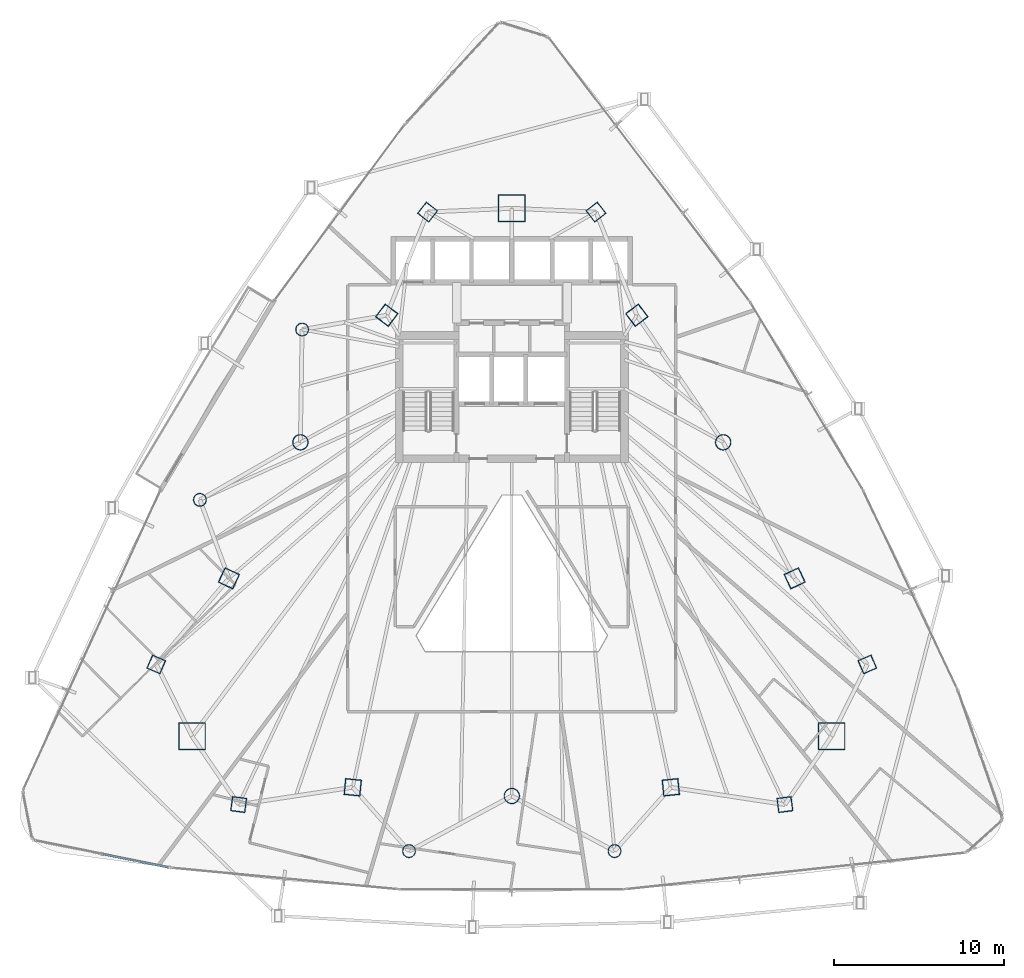
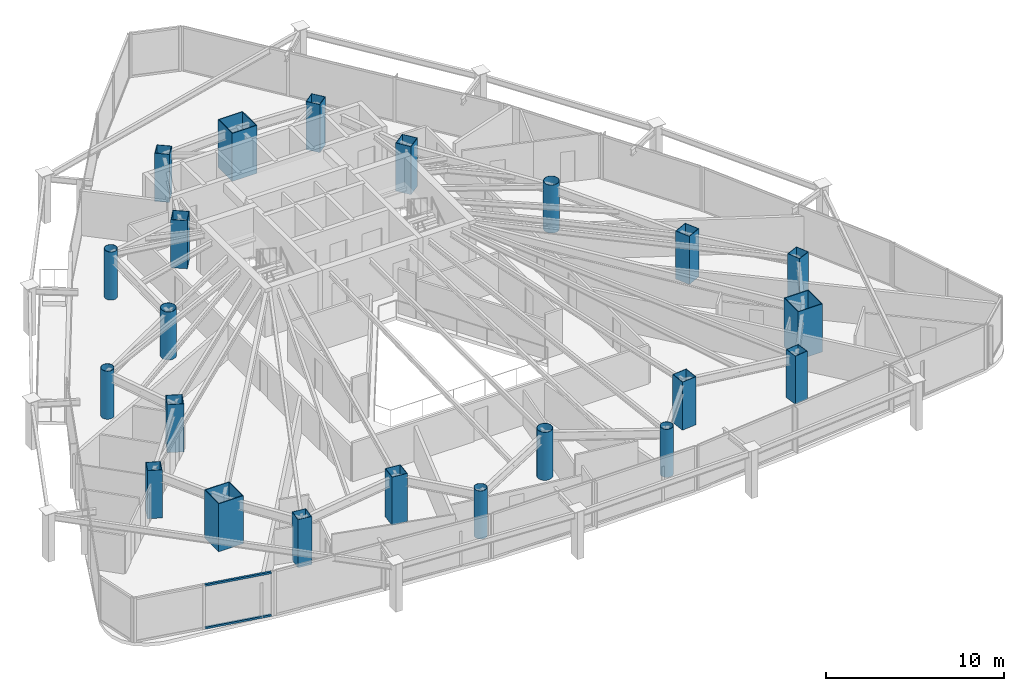
# One storey, part 1 of 35: 22 columns, 2 members, 1 element without a shape of its own.
"""IFC4 building model written with IfcOpenShell, lengths in metres."""

from ifc_helpers import new_model, si_unit, direction, frame, origin, origin_2d, place, context, subcontext, project, spatial, hollow_rectangle, hollow_circle, extrude, material, layer, layer_set, material_profile, profile_set, type_object, element, aggregate, save


model = new_model("IFC4")

# Units and contexts
model_context = context("Model", 3, precision=1e-05, world=origin(), true_north=direction((0.0, 1.0)))
body_context = subcontext(model_context, "Body", "Model", "MODEL_VIEW")
ifc_project = project(units=[si_unit("LENGTHUNIT", "METRE"), si_unit("AREAUNIT", "SQUARE_METRE"), si_unit("VOLUMEUNIT", "CUBIC_METRE"), si_unit("PLANEANGLEUNIT", "RADIAN"), si_unit("MASSUNIT", "GRAM", prefix="KILO")], contexts=[model_context])

# Site, building, storey
site_placement = place(None, origin())
site = spatial("IfcSite", under=ifc_project, at=site_placement, CompositionType="ELEMENT")
building_placement = place(site_placement, origin())
building = spatial("IfcBuilding", under=site, at=building_placement, Name="Orvanel Arch Residences", CompositionType="ELEMENT")
storey_placement = place(building_placement, frame((0.0, 0.0, 40.10009765625)))
storey = spatial("IfcBuildingStorey", under=building, at=storey_placement, Name="L10", CompositionType="ELEMENT", Elevation=40.10009765625)

# Columns
ifc_material_1 = material(Name="Structural steel AS/NZS 1163 C450L0 (Grade 450)", Category="steel")
ifc_material_profile_1 = material_profile(ifc_material_1, hollow_circle(Radius=0.381103515625, WallThickness=0.02197265625, at=origin_2d()), Name="CHS762x22")
ifc_profile_set_1 = profile_set([ifc_material_profile_1], Name="Structural steel AS/NZS 1163 C450L0 (Grade 450)")
column_type_1 = type_object("IfcColumnType", Name="CC-762", PredefinedType="COLUMN", material=ifc_profile_set_1)
for number, where, z_axis, x_axis, name in (
    (1, (20.669921875, 34.27099609375, 0.0), (0.0, 0.0, 1.0), (1.0, 0.0, 0.0), "L10 Low-Rise Buttress Tube Column 01"),
    (2, (14.662109375, 24.256103515625, 0.0), (0.0, 0.0, 1.0), (1.0, 0.0, 0.0), "L10 Low-Rise Buttress Tube Column 02"),
    (3, (26.9580078125, 3.60498046875, 0.0), (0.0, 0.0, 1.0), (1.0, 0.0, 0.0), "L10 Low-Rise Buttress Tube Column 03"),
    (4, (39.0419921875, 3.60498046875, 0.0), (0.0, 0.0, 1.0), (1.0, 0.0, 0.0), "L10 Low-Rise Buttress Tube Column 04"),
):
    element("IfcColumn", number, at=place(storey_placement, frame(where, z_axis=z_axis, x_axis=x_axis)), inside=storey, type_object=column_type_1, Name=name, PredefinedType="COLUMN", context=body_context, shape_type="SweptSolid", body=[
        extrude(hollow_circle(Radius=0.381103515625, WallThickness=0.02197265625, at=origin_2d()), origin(), (0.0, 0.0, 1.0), 3.2998046875),
    ])
ifc_material_profile_2 = material_profile(ifc_material_1, hollow_circle(Radius=0.45703125, WallThickness=0.02490234375, at=origin_2d()), Name="CHS914x25")
ifc_profile_set_2 = profile_set([ifc_material_profile_2], Name="Structural steel AS/NZS 1163 C450L0 (Grade 450)")
column_type_2 = type_object("IfcColumnType", Name="CC-914", PredefinedType="COLUMN", material=ifc_profile_set_2)
for number, where, z_axis, x_axis, name in (
    (5, (20.569091796875, 27.64111328125, 0.0), (0.0, 0.0, 1.0), (1.0, 0.0, 0.0), "L10 High-Rise Tube Column 02"),
    (6, (33.0, 6.843994140625, 0.0), (0.0, 0.0, 1.0), (1.0, 0.0, 0.0), "L10 High-Rise Tube Column 05"),
    (7, (45.430908203125, 27.64111328125, 0.0), (0.0, 0.0, 1.0), (1.0, 0.0, 0.0), "L10 High-Rise Tube Column 08"),
):
    element("IfcColumn", number, at=place(storey_placement, frame(where, z_axis=z_axis, x_axis=x_axis)), inside=storey, type_object=column_type_2, Name=name, PredefinedType="COLUMN", context=body_context, shape_type="SweptSolid", body=[
        extrude(hollow_circle(Radius=0.45703125, WallThickness=0.02490234375, at=origin_2d()), origin(), (0.0, 0.0, 1.0), 3.2998046875),
    ])
ifc_material_2 = material(Name="Structural steel AS/NZS 3678 Grade 450", Category="steel")
ifc_material_profile_3 = material_profile(ifc_material_2, hollow_rectangle(XDim=1.60009765625, YDim=1.60009765625, WallThickness=0.050048828125, at=origin_2d()), Name="BOX1600x1600x50")
ifc_profile_set_3 = profile_set([ifc_material_profile_3], Name="Structural steel AS/NZS 3678 Grade 450")
column_type_3 = type_object("IfcColumnType", Name="MC-1600", PredefinedType="COLUMN", material=ifc_profile_set_3)
for number, where, z_axis, x_axis, name in (
    (8, (33.0, 41.39794921875, 0.0), (0.0, 0.0, 1.0), (1.0, 0.0, 0.0), "L10 Corner Mega-Column 1"),
    (9, (14.198974609375, 10.35107421875, 0.0), (0.0, 0.0, 1.0), (1.0, 0.0, 0.0), "L10 Corner Mega-Column 2"),
    (10, (51.801025390625, 10.35107421875, 0.0), (0.0, 0.0, 1.0), (1.0, 0.0, 0.0), "L10 Corner Mega-Column 3"),
):
    element("IfcColumn", number, at=place(storey_placement, frame(where, z_axis=z_axis, x_axis=x_axis)), inside=storey, type_object=column_type_3, Name=name, PredefinedType="COLUMN", context=body_context, shape_type="SweptSolid", body=[
        extrude(hollow_rectangle(XDim=1.60009765625, YDim=1.60009765625, WallThickness=0.050048828125, at=origin_2d()), origin(), (0.0, 0.0, 1.0), 3.2998046875),
    ])
ifc_material_3 = material(Name="Structural steel AS/NZS 3678 Grade 350", Category="steel")
ifc_material_profile_4 = material_profile(ifc_material_3, hollow_rectangle(XDim=0.85009765625, YDim=0.85009765625, WallThickness=0.028076171875, at=origin_2d()), Name="BOX850x850x28")
ifc_profile_set_4 = profile_set([ifc_material_profile_4], Name="Structural steel AS/NZS 3678 Grade 350")
column_type_4 = type_object("IfcColumnType", Name="TC-850", PredefinedType="COLUMN", material=ifc_profile_set_4)
for number, where, z_axis, x_axis, name in (
    (11, (28.050048828125, 41.177978515625, 0.0), (0.0, 0.0, 1.0), (0.623879596709, 0.781520472419, 0.0), "L10 Mid-Rise Buttress Tube Column 01"),
    (12, (12.094970703125, 14.580078125, 0.0), (0.0, 0.0, 1.0), (0.397147890635, 0.917754625684, 0.0), "L10 Mid-Rise Buttress Tube Column 02"),
    (13, (16.94091796875, 6.339111328125, 0.0), (0.0, 0.0, 1.0), (-0.99189444259, 0.127064608601, 0.0), "L10 Mid-Rise Buttress Tube Column 03"),
    (14, (49.05908203125, 6.339111328125, 0.0), (0.0, 0.0, 1.0), (0.99189444259, 0.127064608601, 0.0), "L10 Mid-Rise Buttress Tube Column 04"),
    (15, (53.905029296875, 14.580078125, 0.0), (0.0, 0.0, 1.0), (-0.397147890635, 0.917754625684, 0.0), "L10 Mid-Rise Buttress Tube Column 05"),
    (16, (37.949951171875, 41.177978515625, 0.0), (0.0, 0.0, 1.0), (-0.623879596709, 0.781520472419, 0.0), "L10 Mid-Rise Buttress Tube Column 06"),
):
    element("IfcColumn", number, at=place(storey_placement, frame(where, z_axis=z_axis, x_axis=x_axis)), inside=storey, type_object=column_type_4, Name=name, PredefinedType="COLUMN", context=body_context, shape_type="SweptSolid", body=[
        extrude(hollow_rectangle(XDim=0.85009765625, YDim=0.85009765625, WallThickness=0.028076171875, at=origin_2d()), origin(), (0.0, 0.0, 1.0), 3.2998046875),
    ])
ifc_material_profile_5 = material_profile(ifc_material_3, hollow_rectangle(XDim=0.949951171875, YDim=0.949951171875, WallThickness=0.031982421875, at=origin_2d()), Name="BOX950x950x32")
ifc_profile_set_5 = profile_set([ifc_material_profile_5], Name="Structural steel AS/NZS 3678 Grade 350")
column_type_5 = type_object("IfcColumnType", Name="TC-950", PredefinedType="COLUMN", material=ifc_profile_set_5)
for number, where, z_axis, x_axis, name in (
    (17, (25.64794921875, 35.113037109375, 0.0), (0.0, 0.0, 1.0), (0.600420225326, 0.799684658487, 0.0), "L10 High-Rise Tube Column 01"),
    (18, (16.366943359375, 19.64208984375, 0.0), (0.0, 0.0, 1.0), (0.422618261741, 0.906307787037, 0.0), "L10 High-Rise Tube Column 03"),
    (19, (23.64892578125, 7.35498046875, 0.0), (0.0, 0.0, 1.0), (-0.994880708829, 0.101056297183, 0.0), "L10 High-Rise Tube Column 04"),
    (20, (42.35107421875, 7.35498046875, 0.0), (0.0, 0.0, 1.0), (0.994880708829, 0.101056297183, 0.0), "L10 High-Rise Tube Column 06"),
    (21, (49.633056640625, 19.64208984375, 0.0), (0.0, 0.0, 1.0), (-0.422618261741, 0.906307787037, 0.0), "L10 High-Rise Tube Column 07"),
    (22, (40.35205078125, 35.113037109375, 0.0), (0.0, 0.0, 1.0), (-0.600420225326, 0.799684658487, 0.0), "L10 High-Rise Tube Column 09"),
):
    element("IfcColumn", number, at=place(storey_placement, frame(where, z_axis=z_axis, x_axis=x_axis)), inside=storey, type_object=column_type_5, Name=name, PredefinedType="COLUMN", context=body_context, shape_type="SweptSolid", body=[
        extrude(hollow_rectangle(XDim=0.949951171875, YDim=0.949951171875, WallThickness=0.031982421875, at=origin_2d()), origin(), (0.0, 0.0, 1.0), 3.2998046875),
    ])

# Curtain wall, members
ifc_material_4 = material(Name="Bronze-anodised aluminium AA6063-T6", Category="aluminium")
ifc_layer = layer(ifc_material_4, 0.18994140625)
ifc_layer_set = layer_set([ifc_layer], Name="Bronze-anodised aluminium AA6063-T6")
curtain_wall_type = type_object("IfcCurtainWallType", Name="CW5-CRN-SYS", PredefinedType="NOTDEFINED", material=ifc_layer_set)
curtain_wall_placement = place(storey_placement, origin())
curtain_wall = element("IfcCurtainWall", 23, at=curtain_wall_placement, inside=storey, type_object=curtain_wall_type, Name="L10 CW5-CRN-SYS Unitised Curtain Wall", PredefinedType="NOTDEFINED")
ifc_material_profile_6 = material_profile(ifc_material_4, hollow_rectangle(XDim=0.1298828125, YDim=0.1298828125, WallThickness=0.00439453125, at=origin_2d()), Name="ALU130x130x4.5")
ifc_profile_set_6 = profile_set([ifc_material_profile_6], Name="Bronze-anodised aluminium AA6063-T6")
member_type = type_object("IfcMemberType", Name="TRN-130x130", PredefinedType="USERDEFINED", material=ifc_profile_set_6)
member_1_placement = place(storey_placement, frame((8.9619140625, 3.427734375, 0.06494140625), z_axis=(0.980161209383, -0.198201926381, 0.0), x_axis=(0.198201926381, 0.980161209383, 0.0)))
member_1 = element("IfcMember", 24, at=member_1_placement, type_object=member_type, Name="CW-S5 transom 2.1", ObjectType="TRANSOM", PredefinedType="USERDEFINED", context=body_context, shape_type="SweptSolid", body=[
    extrude(hollow_rectangle(XDim=0.1298828125, YDim=0.1298828125, WallThickness=0.00439453125, at=origin_2d()), origin(), (0.0, 0.0, 1.0), 3.915771484375),
])
member_2_placement = place(storey_placement, frame((8.9619140625, 3.427734375, 2.994873046875), z_axis=(0.980161209383, -0.198201926381, 0.0), x_axis=(0.198201926381, 0.980161209383, 0.0)))
member_2 = element("IfcMember", 25, at=member_2_placement, type_object=member_type, Name="CW-S5 transom 2.2", ObjectType="TRANSOM", PredefinedType="USERDEFINED", context=body_context, shape_type="SweptSolid", body=[
    extrude(hollow_rectangle(XDim=0.1298828125, YDim=0.1298828125, WallThickness=0.00439453125, at=origin_2d()), origin(), (0.0, 0.0, 1.0), 3.915771484375),
])
aggregate(curtain_wall, [member_1, member_2])

save(model, "model.ifc")
